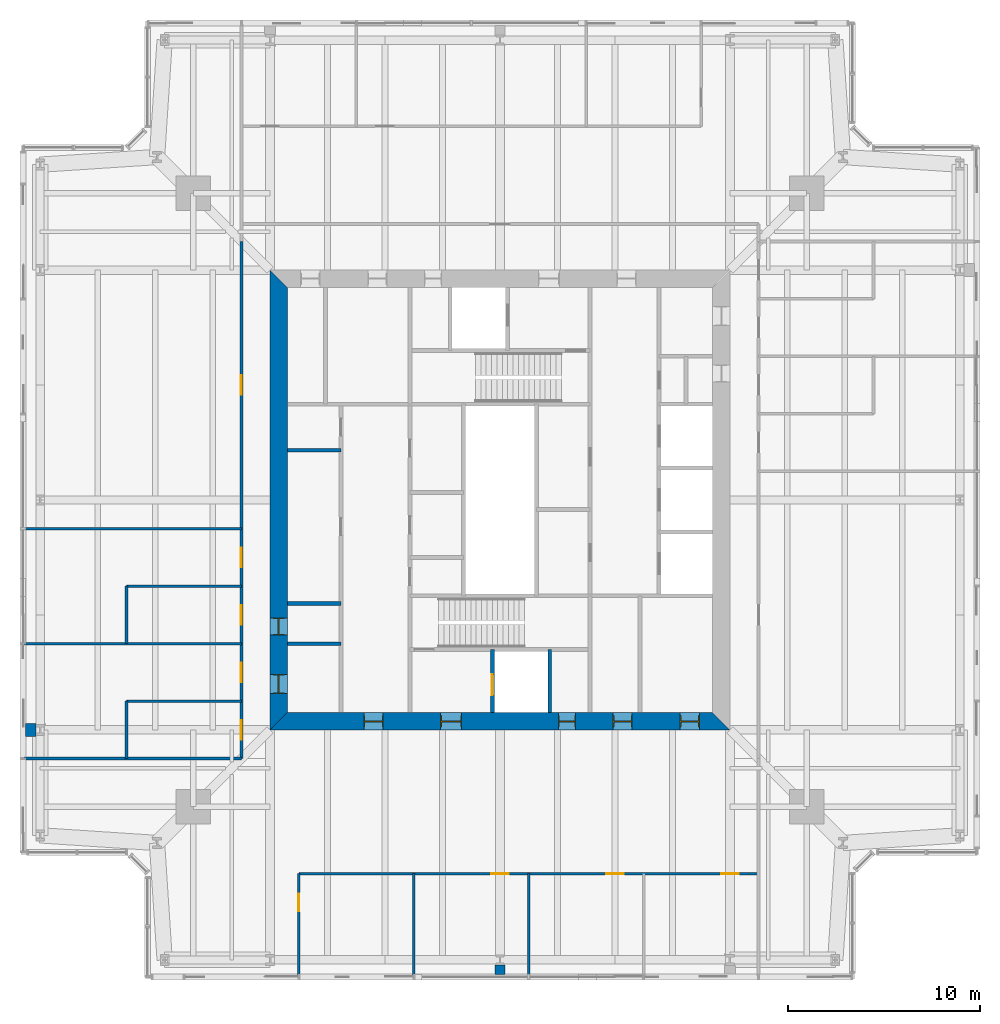
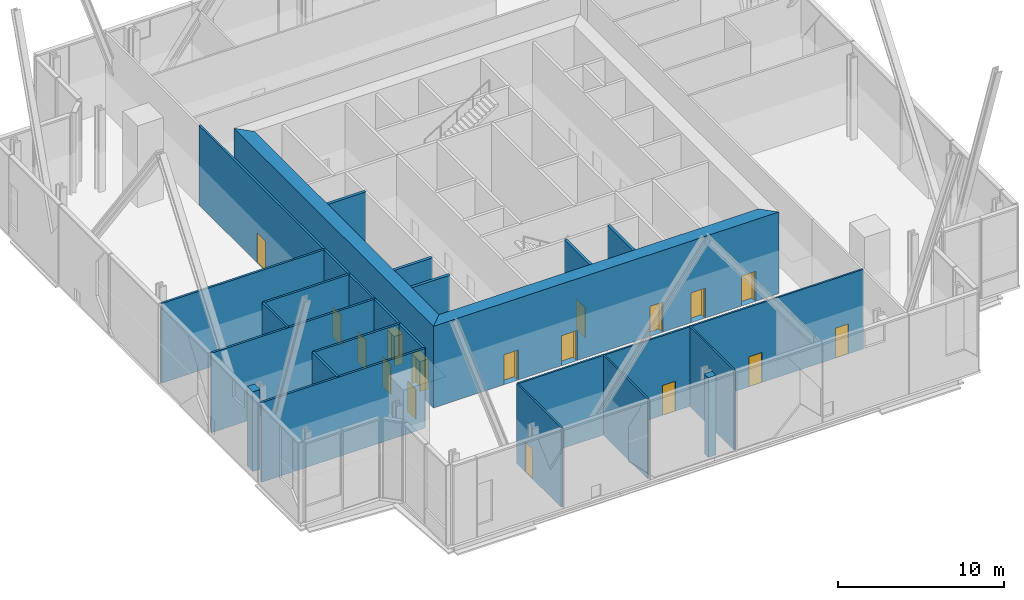
# One storey, part 10 of 20: 21 walls, 17 doors, 17 openings.
"""IFC4 building model written with IfcOpenShell, lengths in metres."""

from ifc_helpers import new_model, si_unit, direction, frame, frame_2d, origin, place, context, subcontext, project, spatial, polyline, rectangle, outline, extrude, material, layer, layer_set, type_object, element, fill, save


model = new_model("IFC4")

# Units and contexts
model_context = context("Model", 3, precision=1e-05, world=origin(), true_north=direction((0.0, 1.0)))
body_context = subcontext(model_context, "Body", "Model", "MODEL_VIEW")
ifc_project = project(units=[si_unit("LENGTHUNIT", "METRE"), si_unit("AREAUNIT", "SQUARE_METRE"), si_unit("VOLUMEUNIT", "CUBIC_METRE"), si_unit("PLANEANGLEUNIT", "RADIAN"), si_unit("MASSUNIT", "GRAM", prefix="KILO")], contexts=[model_context])

# Site, building, storey
site_placement = place(None, origin())
site = spatial("IfcSite", under=ifc_project, at=site_placement, CompositionType="ELEMENT")
building_placement = place(site_placement, origin())
building = spatial("IfcBuilding", under=site, at=building_placement, Name="Fenwick Lantern Interchange", CompositionType="ELEMENT")
storey_placement = place(building_placement, frame((0.0, 0.0, 239.800048828125)))
storey = spatial("IfcBuildingStorey", under=building, at=storey_placement, Name="L56", CompositionType="ELEMENT", Elevation=239.800048828125)

# Walls
ifc_material_1 = material(Name="Fire-rated gypsum board encasement on steel studs, 2 hour", Category="steel")
ifc_layer_1 = layer(ifc_material_1, 0.5419921875)
ifc_layer_set_1 = layer_set([ifc_layer_1], Name="COLUMN PIER 542")
wall_type_1 = type_object("IfcWallType", Name="COLUMN PIER 542", PredefinedType="PARTITIONING", material=ifc_layer_set_1)
wall_1_placement = place(storey_placement, frame((25.0, 0.25, 0.0), z_axis=(0.0, 0.0, 1.0), x_axis=(0.0, 1.0, 0.0)))
element("IfcWall", 1, at=wall_1_placement, inside=storey, type_object=wall_type_1, Name="L56/W/PIER/CS3", PredefinedType="PARTITIONING", context=body_context, shape_type="SweptSolid", body=[
    extrude(rectangle(XDim=0.484619140625, YDim=0.5419921875, at=frame_2d((0.2421875, 0.0))), origin(), (0.0, 0.0, 1.0), 5.849853515625),
])
ifc_layer_2 = layer(ifc_material_1, 0.6689453125)
ifc_layer_set_2 = layer_set([ifc_layer_2], Name="COLUMN PIER 669")
wall_type_2 = type_object("IfcWallType", Name="COLUMN PIER 669", PredefinedType="PARTITIONING", material=ifc_layer_set_2)
wall_2_placement = place(storey_placement, frame((0.25, 13.0, 0.0), z_axis=(0.0, 0.0, 1.0), x_axis=(1.0, 0.0, 0.0)))
element("IfcWall", 2, at=wall_2_placement, inside=storey, type_object=wall_type_2, Name="L56/W/PIER/CW4", PredefinedType="PARTITIONING", context=body_context, shape_type="SweptSolid", body=[
    extrude(rectangle(XDim=0.522705078125, YDim=0.6689453125, at=frame_2d((0.26123046875, 0.0))), origin(), (0.0, 0.0, 1.0), 5.849853515625),
])

# Wall, opening, door
ifc_material_2 = material(Name="Concrete masonry ASTM C90 Grade N", Category="masonry")
ifc_layer_3 = layer(ifc_material_2, 0.199951171875)
ifc_layer_set_3 = layer_set([ifc_layer_3], Name="Concrete masonry ASTM C90 Grade N")
wall_type_3 = type_object("IfcWallType", Name="CORE PARTITION 200", PredefinedType="PARTITIONING", material=ifc_layer_set_3)
wall_3_placement = place(storey_placement, frame((24.60009765625, 13.89990234375, 0.0), z_axis=(0.0, 0.0, 1.0), x_axis=(0.0, 1.0, 0.0)))
wall_3 = element("IfcWall", 3, at=wall_3_placement, inside=storey, type_object=wall_type_3, Name="L56/W/CORES/h1", PredefinedType="PARTITIONING", context=body_context, shape_type="SweptSolid", body=[
    extrude(rectangle(XDim=3.300048828125, YDim=0.199951171875, at=frame_2d((1.64990234375, 0.0))), origin(), (0.0, 0.0, 1.0), 5.800048828125),
])
opening_1_placement = place(wall_3_placement, frame((0.89990234375, 0.0, 0.0)))
opening_1 = element("IfcOpeningElement", 4, at=opening_1_placement, cuts=wall_3, Name="Opening LD-FL1", PredefinedType="OPENING", context=body_context, shape_type="SweptSolid", body=[
    extrude(rectangle(XDim=1.10009765625, YDim=2.199951171875, at=frame_2d((0.550048828125, 1.10009765625))), frame((0.0, 0.10986328125, 0.0), z_axis=(0.0, -1.0, 0.0), x_axis=(1.0, 0.0, 0.0)), (0.0, 0.0, 1.0), 0.219970703125),
])
ifc_material_3 = material(Name="Steel door and frame", Category="steel")
door_type_1 = type_object("IfcDoorType", Name="LIFT LANDING DOOR 1100 X 2200", OperationType="DOUBLE_DOOR_SLIDING", PredefinedType="DOOR", material=ifc_material_3)
door_1_placement = place(opening_1_placement, origin())
door_1 = element("IfcDoor", 5, at=door_1_placement, inside=storey, type_object=door_type_1, Name="Lift landing door FL1", OperationType="DOUBLE_DOOR_SLIDING", OverallHeight=2.199951171875, OverallWidth=1.10009765625, PredefinedType="DOOR", context=body_context, shape_type="SweptSolid", body=[
    extrude(rectangle(XDim=1.10009765625, YDim=2.199951171875, at=frame_2d((0.550048828125, 1.10009765625))), frame((0.0, 0.02490234375, 0.0), z_axis=(0.0, -1.0, 0.0), x_axis=(1.0, 0.0, 0.0)), (0.0, 0.0, 1.0), 0.050048828125),
])
fill(opening_1, door_1)

# Walls
wall_4_placement = place(storey_placement, frame((27.60009765625, 13.89990234375, 0.0), z_axis=(0.0, 0.0, 1.0), x_axis=(0.0, 1.0, 0.0)))
element("IfcWall", 6, at=wall_4_placement, inside=storey, type_object=wall_type_3, Name="L56/W/CORES/h2", PredefinedType="PARTITIONING", context=body_context, shape_type="SweptSolid", body=[
    extrude(rectangle(XDim=3.300048828125, YDim=0.199951171875, at=frame_2d((1.64990234375, 0.0))), origin(), (0.0, 0.0, 1.0), 5.800048828125),
])
for number, where, z_axis, x_axis, name in (
    (7, (13.89990234375, 17.5, 0.0), (0.0, 0.0, 1.0), (1.0, 0.0, 0.0), "L56/W/CORES/p1"),
    (8, (13.89990234375, 19.60009765625, 0.0), (0.0, 0.0, 1.0), (1.0, 0.0, 0.0), "L56/W/CORES/p2"),
    (9, (13.89990234375, 27.60009765625, 0.0), (0.0, 0.0, 1.0), (1.0, 0.0, 0.0), "L56/W/CORES/p3"),
):
    element("IfcWall", number, at=place(storey_placement, frame(where, z_axis=z_axis, x_axis=x_axis)), inside=storey, type_object=wall_type_3, Name=name, PredefinedType="PARTITIONING", context=body_context, shape_type="SweptSolid", body=[
        extrude(rectangle(XDim=2.800048828125, YDim=0.199951171875, at=frame_2d((1.39990234375, 0.0))), origin(), (0.0, 0.0, 1.0), 5.800048828125),
    ])

# Wall, openings, doors
ifc_material_4 = material(Name="Concrete f'c 70 MPa", Category="concrete")
ifc_layer_4 = layer(ifc_material_4, 0.89990234375)
ifc_layer_set_4 = layer_set([ifc_layer_4], Name="CORE WALL 900")
wall_type_4 = type_object("IfcWallType", Name="CORE WALL 900", PredefinedType="SHEAR", material=ifc_layer_set_4)
wall_5_placement = place(storey_placement, frame((13.0, 13.449951171875, 0.0), z_axis=(0.0, 0.0, 1.0), x_axis=(1.0, 0.0, 0.0)))
wall_5 = element("IfcWall", 10, at=wall_5_placement, inside=storey, type_object=wall_type_4, Name="L56/CORE/S", PredefinedType="SHEAR", context=body_context, shape_type="SweptSolid", body=[
    extrude(outline(polyline([(0.0, -0.449951171875), (24.0, -0.449951171875), (23.10009765625, 0.449951171875), (0.89990234375, 0.449951171875), (0.0, -0.449951171875)])), origin(), (0.0, 0.0, 1.0), 6.0),
])
opening_2_placement = place(wall_5_placement, frame((4.89990234375, 0.0, 0.0)))
opening_2 = element("IfcOpeningElement", 11, at=opening_2_placement, cuts=wall_5, Name="Opening L56-D001", PredefinedType="OPENING", context=body_context, shape_type="SweptSolid", body=[
    extrude(rectangle(XDim=1.0, YDim=2.199951171875, at=frame_2d((0.5, 1.10009765625))), frame((0.0, 0.4599609375, 0.0), z_axis=(0.0, -1.0, 0.0), x_axis=(1.0, 0.0, 0.0)), (0.0, 0.0, 1.0), 0.919921875),
])
opening_3_placement = place(wall_5_placement, frame((8.89990234375, 0.0, 0.0)))
opening_3 = element("IfcOpeningElement", 12, at=opening_3_placement, cuts=wall_5, Name="Opening L56-D002", PredefinedType="OPENING", context=body_context, shape_type="SweptSolid", body=[
    extrude(rectangle(XDim=1.10009765625, YDim=2.199951171875, at=frame_2d((0.550048828125, 1.10009765625))), frame((0.0, 0.4599609375, 0.0), z_axis=(0.0, -1.0, 0.0), x_axis=(1.0, 0.0, 0.0)), (0.0, 0.0, 1.0), 0.919921875),
])
opening_4_placement = place(wall_5_placement, frame((15.050048828125, 0.0, 0.0)))
opening_4 = element("IfcOpeningElement", 13, at=opening_4_placement, cuts=wall_5, Name="Opening L56-D004", PredefinedType="OPENING", context=body_context, shape_type="SweptSolid", body=[
    extrude(rectangle(XDim=0.89990234375, YDim=2.199951171875, at=frame_2d((0.449951171875, 1.10009765625))), frame((0.0, 0.4599609375, 0.0), z_axis=(0.0, -1.0, 0.0), x_axis=(1.0, 0.0, 0.0)), (0.0, 0.0, 1.0), 0.919921875),
])
opening_5_placement = place(wall_5_placement, frame((17.89990234375, 0.0, 0.0)))
opening_5 = element("IfcOpeningElement", 14, at=opening_5_placement, cuts=wall_5, Name="Opening L56-D005", PredefinedType="OPENING", context=body_context, shape_type="SweptSolid", body=[
    extrude(rectangle(XDim=1.0, YDim=2.199951171875, at=frame_2d((0.5, 1.10009765625))), frame((0.0, 0.4599609375, 0.0), z_axis=(0.0, -1.0, 0.0), x_axis=(1.0, 0.0, 0.0)), (0.0, 0.0, 1.0), 0.919921875),
])
opening_6_placement = place(wall_5_placement, frame((21.39990234375, 0.0, 0.0)))
opening_6 = element("IfcOpeningElement", 15, at=opening_6_placement, cuts=wall_5, Name="Opening L56-D006", PredefinedType="OPENING", context=body_context, shape_type="SweptSolid", body=[
    extrude(rectangle(XDim=1.0, YDim=2.199951171875, at=frame_2d((0.5, 1.10009765625))), frame((0.0, 0.4599609375, 0.0), z_axis=(0.0, -1.0, 0.0), x_axis=(1.0, 0.0, 0.0)), (0.0, 0.0, 1.0), 0.919921875),
])
door_type_2 = type_object("IfcDoorType", Name="CORE LOBBY DOOR 1000 X 2200", OperationType="SINGLE_SWING_LEFT", PredefinedType="DOOR", material=ifc_material_3)
door_2_placement = place(opening_2_placement, origin())
door_2 = element("IfcDoor", 16, at=door_2_placement, inside=storey, type_object=door_type_2, Name="Core lobby door", OperationType="SINGLE_SWING_LEFT", OverallHeight=2.199951171875, OverallWidth=1.0, PredefinedType="DOOR", context=body_context, shape_type="SweptSolid", body=[
    extrude(rectangle(XDim=1.0, YDim=2.199951171875, at=frame_2d((0.5, 1.10009765625))), frame((0.0, 0.02490234375, 0.0), z_axis=(0.0, -1.0, 0.0), x_axis=(1.0, 0.0, 0.0)), (0.0, 0.0, 1.0), 0.050048828125),
    extrude(outline(polyline([(0.0, 0.0), (0.0400390625, 0.0), (0.0400390625, 2.159912109375), (0.9599609375, 2.159912109375), (0.9599609375, 0.0), (1.0, 0.0), (1.0, 2.199951171875), (0.0, 2.199951171875), (0.0, 0.0)])), frame((0.0, 0.300048828125, 0.0), z_axis=(0.0, -1.0, 0.0), x_axis=(1.0, 0.0, 0.0)), (0.0, 0.0, 1.0), 0.60009765625),
])
fill(opening_2, door_2)
door_type_3 = type_object("IfcDoorType", Name="FIRE LOBBY DOOR 1100 X 2200", OperationType="SINGLE_SWING_LEFT", PredefinedType="DOOR", material=ifc_material_3)
door_3_placement = place(opening_3_placement, origin())
door_3 = element("IfcDoor", 17, at=door_3_placement, inside=storey, type_object=door_type_3, Name="Fire lobby door", OperationType="SINGLE_SWING_LEFT", OverallHeight=2.199951171875, OverallWidth=1.10009765625, PredefinedType="DOOR", context=body_context, shape_type="SweptSolid", body=[
    extrude(rectangle(XDim=1.10009765625, YDim=2.199951171875, at=frame_2d((0.550048828125, 1.10009765625))), frame((0.0, 0.02490234375, 0.0), z_axis=(0.0, -1.0, 0.0), x_axis=(1.0, 0.0, 0.0)), (0.0, 0.0, 1.0), 0.050048828125),
    extrude(outline(polyline([(0.0, 0.0), (0.0400390625, 0.0), (0.0400390625, 2.159912109375), (1.06005859375, 2.159912109375), (1.06005859375, 0.0), (1.10009765625, 0.0), (1.10009765625, 2.199951171875), (0.0, 2.199951171875), (0.0, 0.0)])), frame((0.0, 0.300048828125, 0.0), z_axis=(0.0, -1.0, 0.0), x_axis=(1.0, 0.0, 0.0)), (0.0, 0.0, 1.0), 0.60009765625),
])
fill(opening_3, door_3)
door_type_4 = type_object("IfcDoorType", Name="SERVICE DOOR 900 X 2200", OperationType="SINGLE_SWING_LEFT", PredefinedType="DOOR", material=ifc_material_3)
door_4_placement = place(opening_4_placement, origin())
door_4 = element("IfcDoor", 18, at=door_4_placement, inside=storey, type_object=door_type_4, Name="Service door", OperationType="SINGLE_SWING_LEFT", OverallHeight=2.199951171875, OverallWidth=0.89990234375, PredefinedType="DOOR", context=body_context, shape_type="SweptSolid", body=[
    extrude(rectangle(XDim=0.89990234375, YDim=2.199951171875, at=frame_2d((0.449951171875, 1.10009765625))), frame((0.0, 0.02490234375, 0.0), z_axis=(0.0, -1.0, 0.0), x_axis=(1.0, 0.0, 0.0)), (0.0, 0.0, 1.0), 0.050048828125),
    extrude(outline(polyline([(0.0, 0.0), (0.0400390625, 0.0), (0.0400390625, 2.159912109375), (0.85986328125, 2.159912109375), (0.85986328125, 0.0), (0.89990234375, 0.0), (0.89990234375, 2.199951171875), (0.0, 2.199951171875), (0.0, 0.0)])), frame((0.0, 0.300048828125, 0.0), z_axis=(0.0, -1.0, 0.0), x_axis=(1.0, 0.0, 0.0)), (0.0, 0.0, 1.0), 0.60009765625),
])
fill(opening_4, door_4)
ifc_material_5 = material(Name="Hardwood door and steel frame", Category="steel")
door_type_5 = type_object("IfcDoorType", Name="WC DOOR 1000 X 2200", OperationType="SINGLE_SWING_LEFT", PredefinedType="DOOR", material=ifc_material_5)
door_5_placement = place(opening_5_placement, origin())
door_5 = element("IfcDoor", 19, at=door_5_placement, inside=storey, type_object=door_type_5, Name="Wc door", OperationType="SINGLE_SWING_RIGHT", OverallHeight=2.199951171875, OverallWidth=1.0, PredefinedType="DOOR", context=body_context, shape_type="SweptSolid", body=[
    extrude(rectangle(XDim=1.0, YDim=2.199951171875, at=frame_2d((0.5, 1.10009765625))), frame((0.0, 0.02490234375, 0.0), z_axis=(0.0, -1.0, 0.0), x_axis=(1.0, 0.0, 0.0)), (0.0, 0.0, 1.0), 0.050048828125),
    extrude(outline(polyline([(0.0, 0.0), (0.0400390625, 0.0), (0.0400390625, 2.159912109375), (0.9599609375, 2.159912109375), (0.9599609375, 0.0), (1.0, 0.0), (1.0, 2.199951171875), (0.0, 2.199951171875), (0.0, 0.0)])), frame((0.0, 0.300048828125, 0.0), z_axis=(0.0, -1.0, 0.0), x_axis=(1.0, 0.0, 0.0)), (0.0, 0.0, 1.0), 0.60009765625),
])
fill(opening_5, door_5)
door_6_placement = place(opening_6_placement, origin())
door_6 = element("IfcDoor", 20, at=door_6_placement, inside=storey, type_object=door_type_5, Name="Wc door", OperationType="SINGLE_SWING_RIGHT", OverallHeight=2.199951171875, OverallWidth=1.0, PredefinedType="DOOR", context=body_context, shape_type="SweptSolid", body=[
    extrude(rectangle(XDim=1.0, YDim=2.199951171875, at=frame_2d((0.5, 1.10009765625))), frame((0.0, 0.02490234375, 0.0), z_axis=(0.0, -1.0, 0.0), x_axis=(1.0, 0.0, 0.0)), (0.0, 0.0, 1.0), 0.050048828125),
    extrude(outline(polyline([(0.0, 0.0), (0.0400390625, 0.0), (0.0400390625, 2.159912109375), (0.9599609375, 2.159912109375), (0.9599609375, 0.0), (1.0, 0.0), (1.0, 2.199951171875), (0.0, 2.199951171875), (0.0, 0.0)])), frame((0.0, 0.300048828125, 0.0), z_axis=(0.0, -1.0, 0.0), x_axis=(1.0, 0.0, 0.0)), (0.0, 0.0, 1.0), 0.60009765625),
])
fill(opening_6, door_6)

wall_6_placement = place(storey_placement, frame((13.449951171875, 36.10009765625, 0.0), z_axis=(0.0, 0.0, 1.0), x_axis=(0.0, -1.0, 0.0)))
wall_6 = element("IfcWall", 21, at=wall_6_placement, inside=storey, type_object=wall_type_4, Name="L56/CORE/W", PredefinedType="SHEAR", context=body_context, shape_type="SweptSolid", body=[
    extrude(outline(polyline([(-0.89990234375, -0.449951171875), (23.10009765625, -0.449951171875), (22.199951171875, 0.449951171875), (0.0, 0.449951171875), (-0.89990234375, -0.449951171875)])), origin(), (0.0, 0.0, 1.0), 6.0),
])
opening_7_placement = place(wall_6_placement, frame((20.199951171875, 0.0, 0.0)))
opening_7 = element("IfcOpeningElement", 22, at=opening_7_placement, cuts=wall_6, Name="Opening L56-D007", PredefinedType="OPENING", context=body_context, shape_type="SweptSolid", body=[
    extrude(rectangle(XDim=1.0, YDim=2.199951171875, at=frame_2d((0.5, 1.10009765625))), frame((0.0, 0.4599609375, 0.0), z_axis=(0.0, -1.0, 0.0), x_axis=(1.0, 0.0, 0.0)), (0.0, 0.0, 1.0), 0.919921875),
])
opening_8_placement = place(wall_6_placement, frame((17.25, 0.0, 0.0)))
opening_8 = element("IfcOpeningElement", 23, at=opening_8_placement, cuts=wall_6, Name="Opening L56-D008", PredefinedType="OPENING", context=body_context, shape_type="SweptSolid", body=[
    extrude(rectangle(XDim=0.89990234375, YDim=2.199951171875, at=frame_2d((0.449951171875, 1.10009765625))), frame((0.0, 0.4599609375, 0.0), z_axis=(0.0, -1.0, 0.0), x_axis=(1.0, 0.0, 0.0)), (0.0, 0.0, 1.0), 0.919921875),
])
door_7_placement = place(opening_8_placement, origin())
door_7 = element("IfcDoor", 24, at=door_7_placement, inside=storey, type_object=door_type_4, Name="Service door", OperationType="SINGLE_SWING_RIGHT", OverallHeight=2.199951171875, OverallWidth=0.89990234375, PredefinedType="DOOR", context=body_context, shape_type="SweptSolid", body=[
    extrude(rectangle(XDim=0.89990234375, YDim=2.199951171875, at=frame_2d((0.449951171875, 1.10009765625))), frame((0.0, 0.02490234375, 0.0), z_axis=(0.0, -1.0, 0.0), x_axis=(1.0, 0.0, 0.0)), (0.0, 0.0, 1.0), 0.050048828125),
    extrude(outline(polyline([(0.0, 0.0), (0.0400390625, 0.0), (0.0400390625, 2.159912109375), (0.85986328125, 2.159912109375), (0.85986328125, 0.0), (0.89990234375, 0.0), (0.89990234375, 2.199951171875), (0.0, 2.199951171875), (0.0, 0.0)])), frame((0.0, 0.300048828125, 0.0), z_axis=(0.0, -1.0, 0.0), x_axis=(1.0, 0.0, 0.0)), (0.0, 0.0, 1.0), 0.60009765625),
])
fill(opening_8, door_7)
door_8_placement = place(opening_7_placement, origin())
door_8 = element("IfcDoor", 25, at=door_8_placement, inside=storey, type_object=door_type_5, Name="Wc door", OperationType="SINGLE_SWING_RIGHT", OverallHeight=2.199951171875, OverallWidth=1.0, PredefinedType="DOOR", context=body_context, shape_type="SweptSolid", body=[
    extrude(rectangle(XDim=1.0, YDim=2.199951171875, at=frame_2d((0.5, 1.10009765625))), frame((0.0, 0.02490234375, 0.0), z_axis=(0.0, -1.0, 0.0), x_axis=(1.0, 0.0, 0.0)), (0.0, 0.0, 1.0), 0.050048828125),
    extrude(outline(polyline([(0.0, 0.0), (0.0400390625, 0.0), (0.0400390625, 2.159912109375), (0.9599609375, 2.159912109375), (0.9599609375, 0.0), (1.0, 0.0), (1.0, 2.199951171875), (0.0, 2.199951171875), (0.0, 0.0)])), frame((0.0, 0.300048828125, 0.0), z_axis=(0.0, -1.0, 0.0), x_axis=(1.0, 0.0, 0.0)), (0.0, 0.0, 1.0), 0.60009765625),
])
fill(opening_7, door_8)

ifc_material_6 = material(Name="Gypsum board on steel studs, 1 hour", Category="steel")
ifc_layer_5 = layer(ifc_material_6, 0.14990234375)
ifc_layer_set_5 = layer_set([ifc_layer_5], Name="CORRIDOR WALL 150")
wall_type_5 = type_object("IfcWallType", Name="CORRIDOR WALL 150", PredefinedType="PARTITIONING", material=ifc_layer_set_5)
wall_7_placement = place(storey_placement, frame((11.5, 38.5, 0.0), z_axis=(0.0, 0.0, 1.0), x_axis=(0.0, -1.0, 0.0)))
wall_7 = element("IfcWall", 26, at=wall_7_placement, inside=storey, type_object=wall_type_5, Name="L56/W/OFF/W/CW", PredefinedType="PARTITIONING", context=body_context, shape_type="SweptSolid", body=[
    extrude(rectangle(XDim=27.0, YDim=0.14990234375, at=frame_2d((13.5, 0.0))), origin(), (0.0, 0.0, 1.0), 5.849853515625),
])
opening_9_placement = place(wall_7_placement, frame((7.0, 0.0, 0.0)))
opening_9 = element("IfcOpeningElement", 27, at=opening_9_placement, cuts=wall_7, Name="Opening L56-D038", PredefinedType="OPENING", context=body_context, shape_type="SweptSolid", body=[
    extrude(rectangle(XDim=1.0, YDim=2.199951171875, at=frame_2d((0.5, 1.10009765625))), frame((0.0, 0.0849609375, 0.0), z_axis=(0.0, -1.0, 0.0), x_axis=(1.0, 0.0, 0.0)), (0.0, 0.0, 1.0), 0.169921875),
])
opening_10_placement = place(wall_7_placement, frame((16.0, 0.0, 0.0)))
opening_10 = element("IfcOpeningElement", 28, at=opening_10_placement, cuts=wall_7, Name="Opening L56-D039", PredefinedType="OPENING", context=body_context, shape_type="SweptSolid", body=[
    extrude(rectangle(XDim=1.0, YDim=2.199951171875, at=frame_2d((0.5, 1.10009765625))), frame((0.0, 0.0849609375, 0.0), z_axis=(0.0, -1.0, 0.0), x_axis=(1.0, 0.0, 0.0)), (0.0, 0.0, 1.0), 0.169921875),
])
opening_11_placement = place(wall_7_placement, frame((19.0, 0.0, 0.0)))
opening_11 = element("IfcOpeningElement", 29, at=opening_11_placement, cuts=wall_7, Name="Opening L56-D040", PredefinedType="OPENING", context=body_context, shape_type="SweptSolid", body=[
    extrude(rectangle(XDim=1.0, YDim=2.199951171875, at=frame_2d((0.5, 1.10009765625))), frame((0.0, 0.0849609375, 0.0), z_axis=(0.0, -1.0, 0.0), x_axis=(1.0, 0.0, 0.0)), (0.0, 0.0, 1.0), 0.169921875),
])
opening_12_placement = place(wall_7_placement, frame((22.0, 0.0, 0.0)))
opening_12 = element("IfcOpeningElement", 30, at=opening_12_placement, cuts=wall_7, Name="Opening L56-D041", PredefinedType="OPENING", context=body_context, shape_type="SweptSolid", body=[
    extrude(rectangle(XDim=1.0, YDim=2.199951171875, at=frame_2d((0.5, 1.10009765625))), frame((0.0, 0.0849609375, 0.0), z_axis=(0.0, -1.0, 0.0), x_axis=(1.0, 0.0, 0.0)), (0.0, 0.0, 1.0), 0.169921875),
])
opening_13_placement = place(wall_7_placement, frame((25.0, 0.0, 0.0)))
opening_13 = element("IfcOpeningElement", 31, at=opening_13_placement, cuts=wall_7, Name="Opening L56-D042", PredefinedType="OPENING", context=body_context, shape_type="SweptSolid", body=[
    extrude(rectangle(XDim=1.0, YDim=2.199951171875, at=frame_2d((0.5, 1.10009765625))), frame((0.0, 0.0849609375, 0.0), z_axis=(0.0, -1.0, 0.0), x_axis=(1.0, 0.0, 0.0)), (0.0, 0.0, 1.0), 0.169921875),
])
door_type_6 = type_object("IfcDoorType", Name="SUITE ENTRANCE DOOR 1000 X 2200", OperationType="SINGLE_SWING_LEFT", PredefinedType="DOOR", material=ifc_material_3)
door_9_placement = place(opening_9_placement, frame((1.0, 0.0, 0.0), z_axis=(0.0, 0.0, 1.0), x_axis=(-1.0, 0.0, 0.0)))
door_9 = element("IfcDoor", 32, at=door_9_placement, inside=storey, type_object=door_type_6, Name="Suite entrance door", OperationType="SINGLE_SWING_LEFT", OverallHeight=2.199951171875, OverallWidth=1.0, PredefinedType="DOOR", context=body_context, shape_type="SweptSolid", body=[
    extrude(rectangle(XDim=1.0, YDim=2.199951171875, at=frame_2d((0.5, 1.10009765625))), frame((0.0, 0.02490234375, 0.0), z_axis=(0.0, -1.0, 0.0), x_axis=(1.0, 0.0, 0.0)), (0.0, 0.0, 1.0), 0.050048828125),
])
fill(opening_9, door_9)
door_10_placement = place(opening_10_placement, frame((1.0, 0.0, 0.0), z_axis=(0.0, 0.0, 1.0), x_axis=(-1.0, 0.0, 0.0)))
door_10 = element("IfcDoor", 33, at=door_10_placement, inside=storey, type_object=door_type_6, Name="Suite entrance door", OperationType="SINGLE_SWING_RIGHT", OverallHeight=2.199951171875, OverallWidth=1.0, PredefinedType="DOOR", context=body_context, shape_type="SweptSolid", body=[
    extrude(rectangle(XDim=1.0, YDim=2.199951171875, at=frame_2d((0.5, 1.10009765625))), frame((0.0, 0.02490234375, 0.0), z_axis=(0.0, -1.0, 0.0), x_axis=(1.0, 0.0, 0.0)), (0.0, 0.0, 1.0), 0.050048828125),
])
fill(opening_10, door_10)
door_11_placement = place(opening_11_placement, frame((1.0, 0.0, 0.0), z_axis=(0.0, 0.0, 1.0), x_axis=(-1.0, 0.0, 0.0)))
door_11 = element("IfcDoor", 34, at=door_11_placement, inside=storey, type_object=door_type_6, Name="Suite entrance door", OperationType="SINGLE_SWING_RIGHT", OverallHeight=2.199951171875, OverallWidth=1.0, PredefinedType="DOOR", context=body_context, shape_type="SweptSolid", body=[
    extrude(rectangle(XDim=1.0, YDim=2.199951171875, at=frame_2d((0.5, 1.10009765625))), frame((0.0, 0.02490234375, 0.0), z_axis=(0.0, -1.0, 0.0), x_axis=(1.0, 0.0, 0.0)), (0.0, 0.0, 1.0), 0.050048828125),
])
fill(opening_11, door_11)
door_12_placement = place(opening_12_placement, frame((1.0, 0.0, 0.0), z_axis=(0.0, 0.0, 1.0), x_axis=(-1.0, 0.0, 0.0)))
door_12 = element("IfcDoor", 35, at=door_12_placement, inside=storey, type_object=door_type_6, Name="Suite entrance door", OperationType="SINGLE_SWING_RIGHT", OverallHeight=2.199951171875, OverallWidth=1.0, PredefinedType="DOOR", context=body_context, shape_type="SweptSolid", body=[
    extrude(rectangle(XDim=1.0, YDim=2.199951171875, at=frame_2d((0.5, 1.10009765625))), frame((0.0, 0.02490234375, 0.0), z_axis=(0.0, -1.0, 0.0), x_axis=(1.0, 0.0, 0.0)), (0.0, 0.0, 1.0), 0.050048828125),
])
fill(opening_12, door_12)
door_13_placement = place(opening_13_placement, frame((1.0, 0.0, 0.0), z_axis=(0.0, 0.0, 1.0), x_axis=(-1.0, 0.0, 0.0)))
door_13 = element("IfcDoor", 36, at=door_13_placement, inside=storey, type_object=door_type_6, Name="Suite entrance door", OperationType="SINGLE_SWING_RIGHT", OverallHeight=2.199951171875, OverallWidth=1.0, PredefinedType="DOOR", context=body_context, shape_type="SweptSolid", body=[
    extrude(rectangle(XDim=1.0, YDim=2.199951171875, at=frame_2d((0.5, 1.10009765625))), frame((0.0, 0.02490234375, 0.0), z_axis=(0.0, -1.0, 0.0), x_axis=(1.0, 0.0, 0.0)), (0.0, 0.0, 1.0), 0.050048828125),
])
fill(opening_13, door_13)

# Wall, opening, door
ifc_material_7 = material(Name="Gypsum board on steel studs, acoustic", Category="steel")
ifc_layer_6 = layer(ifc_material_7, 0.125)
ifc_layer_set_6 = layer_set([ifc_layer_6], Name="OFFICE PARTITION 125")
wall_type_6 = type_object("IfcWallType", Name="OFFICE PARTITION 125", PredefinedType="PARTITIONING", material=ifc_layer_set_6)
wall_8_placement = place(storey_placement, frame((14.5, 0.14990234375, 0.0), z_axis=(0.0, 0.0, 1.0), x_axis=(0.0, 1.0, 0.0)))
wall_8 = element("IfcWall", 37, at=wall_8_placement, inside=storey, type_object=wall_type_6, Name="L56/W/OFF/S/X145-1", PredefinedType="PARTITIONING", context=body_context, shape_type="SweptSolid", body=[
    extrude(rectangle(XDim=5.35009765625, YDim=0.125, at=frame_2d((2.675048828125, 0.0))), origin(), (0.0, 0.0, 1.0), 5.849853515625),
])
opening_14_placement = place(wall_8_placement, frame((3.39990234375, 0.0, 0.0)))
opening_14 = element("IfcOpeningElement", 38, at=opening_14_placement, cuts=wall_8, Name="Opening L56-D025", PredefinedType="OPENING", context=body_context, shape_type="SweptSolid", body=[
    extrude(rectangle(XDim=0.89990234375, YDim=2.199951171875, at=frame_2d((0.449951171875, 1.10009765625))), frame((0.0, 0.072509765625, 0.0), z_axis=(0.0, -1.0, 0.0), x_axis=(1.0, 0.0, 0.0)), (0.0, 0.0, 1.0), 0.14501953125),
])
door_type_7 = type_object("IfcDoorType", Name="OFFICE DOOR 900 X 2200", OperationType="SINGLE_SWING_LEFT", PredefinedType="DOOR", material=ifc_material_5)
door_14_placement = place(opening_14_placement, frame((0.89990234375, 0.0, 0.0), z_axis=(0.0, 0.0, 1.0), x_axis=(-1.0, 0.0, 0.0)))
door_14 = element("IfcDoor", 39, at=door_14_placement, inside=storey, type_object=door_type_7, Name="Office door", OperationType="SINGLE_SWING_LEFT", OverallHeight=2.199951171875, OverallWidth=0.89990234375, PredefinedType="DOOR", context=body_context, shape_type="SweptSolid", body=[
    extrude(rectangle(XDim=0.89990234375, YDim=2.199951171875, at=frame_2d((0.449951171875, 1.10009765625))), frame((0.0, 0.02490234375, 0.0), z_axis=(0.0, -1.0, 0.0), x_axis=(1.0, 0.0, 0.0)), (0.0, 0.0, 1.0), 0.050048828125),
])
fill(opening_14, door_14)

# Walls
for number, where, z_axis, x_axis, name in (
    (40, (20.5, 0.14990234375, 0.0), (0.0, 0.0, 1.0), (0.0, 1.0, 0.0), "L56/W/OFF/S/X205-1"),
    (41, (26.5, 0.14990234375, 0.0), (0.0, 0.0, 1.0), (0.0, 1.0, 0.0), "L56/W/OFF/S/X265-1"),
):
    element("IfcWall", number, at=place(storey_placement, frame(where, z_axis=z_axis, x_axis=x_axis)), inside=storey, type_object=wall_type_6, Name=name, PredefinedType="PARTITIONING", context=body_context, shape_type="SweptSolid", body=[
        extrude(rectangle(XDim=5.35009765625, YDim=0.125, at=frame_2d((2.675048828125, 0.0))), origin(), (0.0, 0.0, 1.0), 5.849853515625),
    ])

# Wall, openings, doors
wall_9_placement = place(storey_placement, frame((14.5, 5.5, 0.0), z_axis=(0.0, 0.0, 1.0), x_axis=(1.0, 0.0, 0.0)))
wall_9 = element("IfcWall", 42, at=wall_9_placement, inside=storey, type_object=wall_type_6, Name="L56/W/OFF/S/Y55-1", PredefinedType="PARTITIONING", context=body_context, shape_type="SweptSolid", body=[
    extrude(rectangle(XDim=24.0, YDim=0.125, at=frame_2d((12.0, 0.0))), origin(), (0.0, 0.0, 1.0), 5.849853515625),
])
opening_15_placement = place(wall_9_placement, frame((10.050048828125, 0.0, 0.0)))
opening_15 = element("IfcOpeningElement", 43, at=opening_15_placement, cuts=wall_9, Name="Opening L56-D026", PredefinedType="OPENING", context=body_context, shape_type="SweptSolid", body=[
    extrude(rectangle(XDim=0.89990234375, YDim=2.199951171875, at=frame_2d((0.449951171875, 1.10009765625))), frame((0.0, 0.072509765625, 0.0), z_axis=(0.0, -1.0, 0.0), x_axis=(1.0, 0.0, 0.0)), (0.0, 0.0, 1.0), 0.14501953125),
])
opening_16_placement = place(wall_9_placement, frame((16.050048828125, 0.0, 0.0)))
opening_16 = element("IfcOpeningElement", 44, at=opening_16_placement, cuts=wall_9, Name="Opening L56-D027", PredefinedType="OPENING", context=body_context, shape_type="SweptSolid", body=[
    extrude(rectangle(XDim=0.89990234375, YDim=2.199951171875, at=frame_2d((0.449951171875, 1.10009765625))), frame((0.0, 0.072509765625, 0.0), z_axis=(0.0, -1.0, 0.0), x_axis=(1.0, 0.0, 0.0)), (0.0, 0.0, 1.0), 0.14501953125),
])
opening_17_placement = place(wall_9_placement, frame((22.050048828125, 0.0, 0.0)))
opening_17 = element("IfcOpeningElement", 45, at=opening_17_placement, cuts=wall_9, Name="Opening L56-D028", PredefinedType="OPENING", context=body_context, shape_type="SweptSolid", body=[
    extrude(rectangle(XDim=0.89990234375, YDim=2.199951171875, at=frame_2d((0.449951171875, 1.10009765625))), frame((0.0, 0.072509765625, 0.0), z_axis=(0.0, -1.0, 0.0), x_axis=(1.0, 0.0, 0.0)), (0.0, 0.0, 1.0), 0.14501953125),
])
door_15_placement = place(opening_15_placement, frame((0.89990234375, 0.0, 0.0), z_axis=(0.0, 0.0, 1.0), x_axis=(-1.0, 0.0, 0.0)))
door_15 = element("IfcDoor", 46, at=door_15_placement, inside=storey, type_object=door_type_7, Name="Office door", OperationType="SINGLE_SWING_LEFT", OverallHeight=2.199951171875, OverallWidth=0.89990234375, PredefinedType="DOOR", context=body_context, shape_type="SweptSolid", body=[
    extrude(rectangle(XDim=0.89990234375, YDim=2.199951171875, at=frame_2d((0.449951171875, 1.10009765625))), frame((0.0, 0.02490234375, 0.0), z_axis=(0.0, -1.0, 0.0), x_axis=(1.0, 0.0, 0.0)), (0.0, 0.0, 1.0), 0.050048828125),
])
fill(opening_15, door_15)
door_16_placement = place(opening_16_placement, frame((0.89990234375, 0.0, 0.0), z_axis=(0.0, 0.0, 1.0), x_axis=(-1.0, 0.0, 0.0)))
door_16 = element("IfcDoor", 47, at=door_16_placement, inside=storey, type_object=door_type_7, Name="Office door", OperationType="SINGLE_SWING_LEFT", OverallHeight=2.199951171875, OverallWidth=0.89990234375, PredefinedType="DOOR", context=body_context, shape_type="SweptSolid", body=[
    extrude(rectangle(XDim=0.89990234375, YDim=2.199951171875, at=frame_2d((0.449951171875, 1.10009765625))), frame((0.0, 0.02490234375, 0.0), z_axis=(0.0, -1.0, 0.0), x_axis=(1.0, 0.0, 0.0)), (0.0, 0.0, 1.0), 0.050048828125),
])
fill(opening_16, door_16)
door_17_placement = place(opening_17_placement, frame((0.89990234375, 0.0, 0.0), z_axis=(0.0, 0.0, 1.0), x_axis=(-1.0, 0.0, 0.0)))
door_17 = element("IfcDoor", 48, at=door_17_placement, inside=storey, type_object=door_type_7, Name="Office door", OperationType="SINGLE_SWING_LEFT", OverallHeight=2.199951171875, OverallWidth=0.89990234375, PredefinedType="DOOR", context=body_context, shape_type="SweptSolid", body=[
    extrude(rectangle(XDim=0.89990234375, YDim=2.199951171875, at=frame_2d((0.449951171875, 1.10009765625))), frame((0.0, 0.02490234375, 0.0), z_axis=(0.0, -1.0, 0.0), x_axis=(1.0, 0.0, 0.0)), (0.0, 0.0, 1.0), 0.050048828125),
])
fill(opening_17, door_17)

# Walls
ifc_material_8 = material(Name="Gypsum board on steel studs, 1 hour acoustic", Category="steel")
ifc_layer_7 = layer(ifc_material_8, 0.14990234375)
ifc_layer_set_7 = layer_set([ifc_layer_7], Name="TENANT WALL 150")
wall_type_7 = type_object("IfcWallType", Name="TENANT WALL 150", PredefinedType="PARTITIONING", material=ifc_layer_set_7)
for number, where, z_axis, x_axis, name in (
    (49, (0.14990234375, 11.5, 0.0), (0.0, 0.0, 1.0), (1.0, 0.0, 0.0), "L56/W/OFF/S/BACK"),
    (50, (0.14990234375, 23.5, 0.0), (0.0, 0.0, 1.0), (1.0, 0.0, 0.0), "L56/W/OFF/W/X265-1"),
):
    element("IfcWall", number, at=place(storey_placement, frame(where, z_axis=z_axis, x_axis=x_axis)), inside=storey, type_object=wall_type_7, Name=name, PredefinedType="PARTITIONING", context=body_context, shape_type="SweptSolid", body=[
        extrude(rectangle(XDim=11.35009765625, YDim=0.14990234375, at=frame_2d((5.675048828125, 0.0))), origin(), (0.0, 0.0, 1.0), 5.849853515625),
    ])
wall_10_placement = place(storey_placement, frame((5.5, 20.5, 0.0), z_axis=(0.0, 0.0, 1.0), x_axis=(1.0, 0.0, 0.0)))
element("IfcWall", 51, at=wall_10_placement, inside=storey, type_object=wall_type_7, Name="L56/W/OFF/W/X295-1", PredefinedType="PARTITIONING", context=body_context, shape_type="SweptSolid", body=[
    extrude(rectangle(XDim=6.0, YDim=0.14990234375, at=frame_2d((3.0, 0.0))), origin(), (0.0, 0.0, 1.0), 5.849853515625),
])
wall_11_placement = place(storey_placement, frame((0.14990234375, 17.5, 0.0), z_axis=(0.0, 0.0, 1.0), x_axis=(1.0, 0.0, 0.0)))
element("IfcWall", 52, at=wall_11_placement, inside=storey, type_object=wall_type_7, Name="L56/W/OFF/W/X325-1", PredefinedType="PARTITIONING", context=body_context, shape_type="SweptSolid", body=[
    extrude(rectangle(XDim=11.35009765625, YDim=0.14990234375, at=frame_2d((5.675048828125, 0.0))), origin(), (0.0, 0.0, 1.0), 5.849853515625),
])
wall_12_placement = place(storey_placement, frame((5.5, 14.5, 0.0), z_axis=(0.0, 0.0, 1.0), x_axis=(1.0, 0.0, 0.0)))
element("IfcWall", 53, at=wall_12_placement, inside=storey, type_object=wall_type_7, Name="L56/W/OFF/W/X355-1", PredefinedType="PARTITIONING", context=body_context, shape_type="SweptSolid", body=[
    extrude(rectangle(XDim=6.0, YDim=0.14990234375, at=frame_2d((3.0, 0.0))), origin(), (0.0, 0.0, 1.0), 5.849853515625),
])
for number, where, z_axis, x_axis, name in (
    (54, (5.5, 20.5, 0.0), (0.0, 0.0, 1.0), (0.0, -1.0, 0.0), "L56/W/OFF/W/Y55-1"),
    (55, (5.5, 14.5, 0.0), (0.0, 0.0, 1.0), (0.0, -1.0, 0.0), "L56/W/OFF/W/Y55-2"),
):
    element("IfcWall", number, at=place(storey_placement, frame(where, z_axis=z_axis, x_axis=x_axis)), inside=storey, type_object=wall_type_7, Name=name, PredefinedType="PARTITIONING", context=body_context, shape_type="SweptSolid", body=[
        extrude(rectangle(XDim=3.0, YDim=0.14990234375, at=frame_2d((1.5, 0.0))), origin(), (0.0, 0.0, 1.0), 5.849853515625),
    ])

save(model, "model.ifc")
